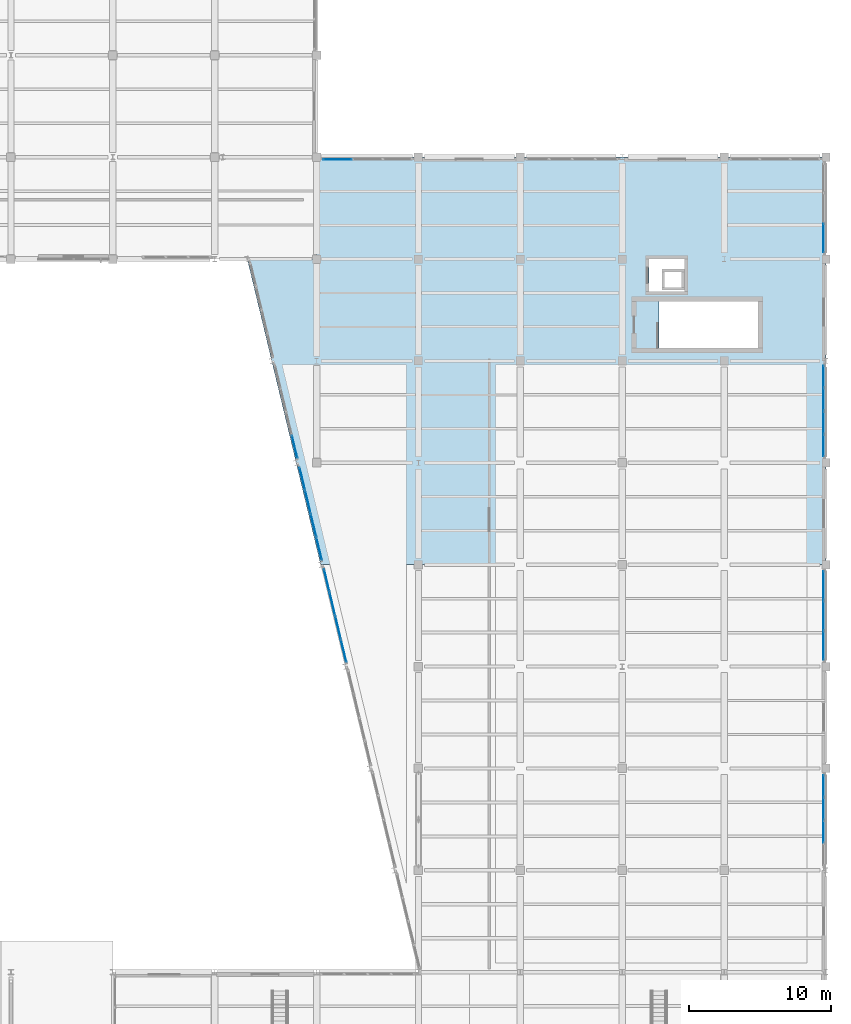
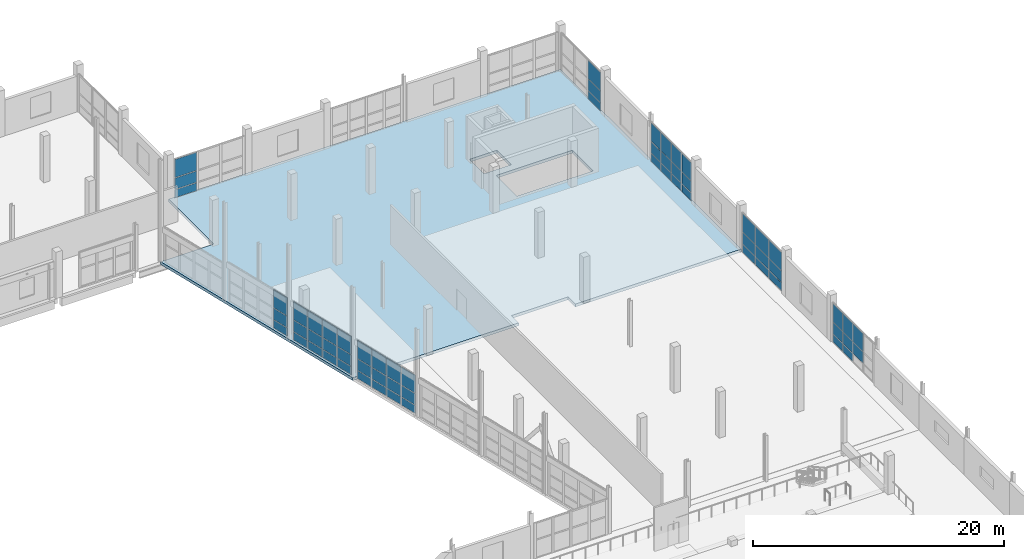
# One storey, part 79 of 123: 62 plates, 1 slab, 8 elements without a shape of their own.
"""IFC4 building model written with IfcOpenShell, lengths in metres."""

from ifc_helpers import new_model, si_unit, direction, frame, origin, origin_2d, place, context, subcontext, project, spatial, polyline, rectangle, outline, extrude, material, layer, layer_set, type_object, element, aggregate, save


model = new_model("IFC4")

# Units and contexts
model_context = context("Model", 3, precision=1e-05, world=origin(), true_north=direction((0.0, 1.0)))
body_context = subcontext(model_context, "Body", "Model", "MODEL_VIEW")
ifc_project = project(units=[si_unit("LENGTHUNIT", "METRE"), si_unit("AREAUNIT", "SQUARE_METRE"), si_unit("VOLUMEUNIT", "CUBIC_METRE"), si_unit("PLANEANGLEUNIT", "RADIAN"), si_unit("MASSUNIT", "GRAM", prefix="KILO")], contexts=[model_context])

# Site, building, storey
site_placement = place(None, origin())
site = spatial("IfcSite", under=ifc_project, at=site_placement, CompositionType="ELEMENT")
building_placement = place(site_placement, origin())
building = spatial("IfcBuilding", under=site, at=building_placement, Name="Kalmorath City Hall", CompositionType="ELEMENT")
storey_placement = place(building_placement, frame((0.0, 0.0, 10.199951171875)))
storey = spatial("IfcBuildingStorey", under=building, at=storey_placement, Name="L02", CompositionType="ELEMENT", Elevation=10.199951171875)

# Slab
ifc_material_1 = material(Name="Concrete C40/50", Category="concrete")
ifc_layer_1 = layer(ifc_material_1, 0.280029296875)
ifc_layer_set_1 = layer_set([ifc_layer_1], Name="Concrete C40/50")
slab_type = type_object("IfcSlabType", Name="Concrete composite floor slab 280", PredefinedType="FLOOR", material=ifc_layer_set_1)
slab_placement = place(storey_placement, frame((0.0, 0.0, -0.280029296875)))
element("IfcSlab", 1, at=slab_placement, inside=storey, type_object=slab_type, Name="L02 Members Library Pavilion slab FS2-2", PredefinedType="FLOOR", context=body_context, shape_type="SweptSolid", body=[
    extrude(outline(polyline([(165.60009765625, 100.800048828125), (165.60009765625, 72.0), (150.3427734375, 72.0), (150.3427734375, 73.14990234375), (145.142822265625, 73.14990234375), (145.142822265625, 72.0), (129.885498046875, 72.0), (124.69970703125, 93.60009765625), (129.60009765625, 93.60009765625), (129.60009765625, 100.800048828125), (165.60009765625, 100.800048828125)]), holes=[polyline([(153.7900390625, 87.300048828125), (160.800048828125, 87.300048828125), (160.800048828125, 90.60009765625), (153.7900390625, 90.60009765625), (153.7900390625, 87.300048828125)]), polyline([(153.10009765625, 93.60009765625), (153.10009765625, 91.300048828125), (155.60009765625, 91.300048828125), (155.60009765625, 93.60009765625), (153.10009765625, 93.60009765625)])]), origin(), (0.0, 0.0, 1.0), 0.280029296875),
])

# Curtain wall, plates
ifc_material_2 = material(Name="Anodised aluminium and laminated glass", Category="aluminium")
curtain_wall_type_1 = type_object("IfcCurtainWallType", Name="Unitised hurricane curtain wall 6420x3835 M1850", PredefinedType="NOTDEFINED", material=ifc_material_2)
curtain_wall_1_placement = place(storey_placement, origin())
curtain_wall_1 = element("IfcCurtainWall", 2, at=curtain_wall_1_placement, inside=storey, type_object=curtain_wall_type_1, Name="L02 curtain wall CW-64X38M18 #114", PredefinedType="NOTDEFINED")
ifc_material_3 = material(Name="Hurricane laminated low-E glass", Category="glass")
ifc_layer_2 = layer(ifc_material_3, 0.035888671875)
ifc_layer_set_2 = layer_set([ifc_layer_2], Name="Hurricane laminated low-E glass")
plate_type = type_object("IfcPlateType", Name="Library acoustic low-E glazed panel 36", PredefinedType="CURTAIN_PANEL", material=ifc_layer_set_2)
plate_1_placement = place(storey_placement, frame((131.078857421875, 100.639892578125, 0.06005859375), z_axis=(0.0, 0.0, 1.0), x_axis=(1.0, 0.0, 0.0)))
plate_1 = element("IfcPlate", 3, at=plate_1_placement, type_object=plate_type, Name="CW-64X38M18 panel 1.1", PredefinedType="CURTAIN_PANEL", context=body_context, shape_type="SweptSolid", body=[
    extrude(rectangle(XDim=2.027587890625, YDim=0.035888671875, at=origin_2d()), origin(), (0.0, 0.0, 1.0), 0.760009765625),
])
plate_2_placement = place(storey_placement, frame((131.078857421875, 100.639892578125, 0.880126953125), z_axis=(0.0, 0.0, 1.0), x_axis=(1.0, 0.0, 0.0)))
plate_2 = element("IfcPlate", 4, at=plate_2_placement, type_object=plate_type, Name="CW-64X38M18 panel 1.2", PredefinedType="CURTAIN_PANEL", context=body_context, shape_type="SweptSolid", body=[
    extrude(rectangle(XDim=2.027587890625, YDim=0.035888671875, at=origin_2d()), origin(), (0.0, 0.0, 1.0), 1.083984375),
])
plate_3_placement = place(storey_placement, frame((131.078857421875, 100.639892578125, 2.024169921875), z_axis=(0.0, 0.0, 1.0), x_axis=(1.0, 0.0, 0.0)))
plate_3 = element("IfcPlate", 5, at=plate_3_placement, type_object=plate_type, Name="CW-64X38M18 panel 1.3", PredefinedType="CURTAIN_PANEL", context=body_context, shape_type="SweptSolid", body=[
    extrude(rectangle(XDim=2.027587890625, YDim=0.035888671875, at=origin_2d()), origin(), (0.0, 0.0, 1.0), 1.7509765625),
])
aggregate(curtain_wall_1, [plate_1, plate_2, plate_3])

curtain_wall_2_placement = place(storey_placement, origin())
curtain_wall_2 = element("IfcCurtainWall", 6, at=curtain_wall_2_placement, inside=storey, type_object=curtain_wall_type_1, Name="L02 curtain wall CW-64X38M18 #117", PredefinedType="NOTDEFINED")
plate_4_placement = place(storey_placement, frame((165.43994140625, 95.078857421875, 0.06005859375), z_axis=(0.0, 0.0, 1.0), x_axis=(0.0, -1.0, 0.0)))
plate_4 = element("IfcPlate", 7, at=plate_4_placement, type_object=plate_type, Name="CW-64X38M18 panel 3.1", PredefinedType="CURTAIN_PANEL", context=body_context, shape_type="SweptSolid", body=[
    extrude(rectangle(XDim=2.027587890625, YDim=0.035888671875, at=origin_2d()), origin(), (0.0, 0.0, 1.0), 0.760009765625),
])
plate_5_placement = place(storey_placement, frame((165.43994140625, 95.078857421875, 0.880126953125), z_axis=(0.0, 0.0, 1.0), x_axis=(0.0, -1.0, 0.0)))
plate_5 = element("IfcPlate", 8, at=plate_5_placement, type_object=plate_type, Name="CW-64X38M18 panel 3.2", PredefinedType="CURTAIN_PANEL", context=body_context, shape_type="SweptSolid", body=[
    extrude(rectangle(XDim=2.027587890625, YDim=0.035888671875, at=origin_2d()), origin(), (0.0, 0.0, 1.0), 1.083984375),
])
plate_6_placement = place(storey_placement, frame((165.43994140625, 95.078857421875, 2.024169921875), z_axis=(0.0, 0.0, 1.0), x_axis=(0.0, -1.0, 0.0)))
plate_6 = element("IfcPlate", 9, at=plate_6_placement, type_object=plate_type, Name="CW-64X38M18 panel 3.3", PredefinedType="CURTAIN_PANEL", context=body_context, shape_type="SweptSolid", body=[
    extrude(rectangle(XDim=2.027587890625, YDim=0.035888671875, at=origin_2d()), origin(), (0.0, 0.0, 1.0), 1.7509765625),
])
aggregate(curtain_wall_2, [plate_4, plate_5, plate_6])

ifc_material_4 = material(Name="Anodised aluminium and laminated glass", Category="aluminium")
curtain_wall_type_2 = type_object("IfcCurtainWallType", Name="Unitised hurricane curtain wall 6544x3835 M1850", PredefinedType="NOTDEFINED", material=ifc_material_4)
curtain_wall_3_placement = place(storey_placement, origin())
curtain_wall_3 = element("IfcCurtainWall", 10, at=curtain_wall_3_placement, inside=storey, type_object=curtain_wall_type_2, Name="L02 curtain wall CW-65X38M18 #118", PredefinedType="NOTDEFINED")
plate_7_placement = place(storey_placement, frame((165.43994140625, 85.296875, 0.06005859375), z_axis=(0.0, 0.0, 1.0), x_axis=(0.0, -1.0, 0.0)))
plate_7 = element("IfcPlate", 11, at=plate_7_placement, type_object=plate_type, Name="CW-65X38M18 panel 1.1", PredefinedType="CURTAIN_PANEL", context=body_context, shape_type="SweptSolid", body=[
    extrude(rectangle(XDim=1.5234375, YDim=0.035888671875, at=origin_2d()), origin(), (0.0, 0.0, 1.0), 0.760009765625),
])
plate_8_placement = place(storey_placement, frame((165.43994140625, 85.296875, 0.880126953125), z_axis=(0.0, 0.0, 1.0), x_axis=(0.0, -1.0, 0.0)))
plate_8 = element("IfcPlate", 12, at=plate_8_placement, type_object=plate_type, Name="CW-65X38M18 panel 1.2", PredefinedType="CURTAIN_PANEL", context=body_context, shape_type="SweptSolid", body=[
    extrude(rectangle(XDim=1.5234375, YDim=0.035888671875, at=origin_2d()), origin(), (0.0, 0.0, 1.0), 1.083984375),
])
plate_9_placement = place(storey_placement, frame((165.43994140625, 85.296875, 2.024169921875), z_axis=(0.0, 0.0, 1.0), x_axis=(0.0, -1.0, 0.0)))
plate_9 = element("IfcPlate", 13, at=plate_9_placement, type_object=plate_type, Name="CW-65X38M18 panel 1.3", PredefinedType="CURTAIN_PANEL", context=body_context, shape_type="SweptSolid", body=[
    extrude(rectangle(XDim=1.5234375, YDim=0.035888671875, at=origin_2d()), origin(), (0.0, 0.0, 1.0), 1.7509765625),
])
plate_10_placement = place(storey_placement, frame((165.43994140625, 83.6796875, 0.06005859375), z_axis=(0.0, 0.0, 1.0), x_axis=(0.0, -1.0, 0.0)))
plate_10 = element("IfcPlate", 14, at=plate_10_placement, type_object=plate_type, Name="CW-65X38M18 panel 2.1", PredefinedType="CURTAIN_PANEL", context=body_context, shape_type="SweptSolid", body=[
    extrude(rectangle(XDim=1.560791015625, YDim=0.035888671875, at=origin_2d()), origin(), (0.0, 0.0, 1.0), 0.760009765625),
])
plate_11_placement = place(storey_placement, frame((165.43994140625, 83.6796875, 0.880126953125), z_axis=(0.0, 0.0, 1.0), x_axis=(0.0, -1.0, 0.0)))
plate_11 = element("IfcPlate", 15, at=plate_11_placement, type_object=plate_type, Name="CW-65X38M18 panel 2.2", PredefinedType="CURTAIN_PANEL", context=body_context, shape_type="SweptSolid", body=[
    extrude(rectangle(XDim=1.560791015625, YDim=0.035888671875, at=origin_2d()), origin(), (0.0, 0.0, 1.0), 1.083984375),
])
plate_12_placement = place(storey_placement, frame((165.43994140625, 83.6796875, 2.024169921875), z_axis=(0.0, 0.0, 1.0), x_axis=(0.0, -1.0, 0.0)))
plate_12 = element("IfcPlate", 16, at=plate_12_placement, type_object=plate_type, Name="CW-65X38M18 panel 2.3", PredefinedType="CURTAIN_PANEL", context=body_context, shape_type="SweptSolid", body=[
    extrude(rectangle(XDim=1.560791015625, YDim=0.035888671875, at=origin_2d()), origin(), (0.0, 0.0, 1.0), 1.7509765625),
])
plate_13_placement = place(storey_placement, frame((165.43994140625, 82.043701171875, 0.06005859375), z_axis=(0.0, 0.0, 1.0), x_axis=(0.0, -1.0, 0.0)))
plate_13 = element("IfcPlate", 17, at=plate_13_placement, type_object=plate_type, Name="CW-65X38M18 panel 3.1", PredefinedType="CURTAIN_PANEL", context=body_context, shape_type="SweptSolid", body=[
    extrude(rectangle(XDim=1.560791015625, YDim=0.035888671875, at=origin_2d()), origin(), (0.0, 0.0, 1.0), 0.760009765625),
])
plate_14_placement = place(storey_placement, frame((165.43994140625, 82.043701171875, 0.880126953125), z_axis=(0.0, 0.0, 1.0), x_axis=(0.0, -1.0, 0.0)))
plate_14 = element("IfcPlate", 18, at=plate_14_placement, type_object=plate_type, Name="CW-65X38M18 panel 3.2", PredefinedType="CURTAIN_PANEL", context=body_context, shape_type="SweptSolid", body=[
    extrude(rectangle(XDim=1.560791015625, YDim=0.035888671875, at=origin_2d()), origin(), (0.0, 0.0, 1.0), 1.083984375),
])
plate_15_placement = place(storey_placement, frame((165.43994140625, 82.043701171875, 2.024169921875), z_axis=(0.0, 0.0, 1.0), x_axis=(0.0, -1.0, 0.0)))
plate_15 = element("IfcPlate", 19, at=plate_15_placement, type_object=plate_type, Name="CW-65X38M18 panel 3.3", PredefinedType="CURTAIN_PANEL", context=body_context, shape_type="SweptSolid", body=[
    extrude(rectangle(XDim=1.560791015625, YDim=0.035888671875, at=origin_2d()), origin(), (0.0, 0.0, 1.0), 1.7509765625),
])
plate_16_placement = place(storey_placement, frame((165.43994140625, 80.4267578125, 0.06005859375), z_axis=(0.0, 0.0, 1.0), x_axis=(0.0, -1.0, 0.0)))
plate_16 = element("IfcPlate", 20, at=plate_16_placement, type_object=plate_type, Name="CW-65X38M18 panel 4.1", PredefinedType="CURTAIN_PANEL", context=body_context, shape_type="SweptSolid", body=[
    extrude(rectangle(XDim=1.5234375, YDim=0.035888671875, at=origin_2d()), origin(), (0.0, 0.0, 1.0), 0.760009765625),
])
plate_17_placement = place(storey_placement, frame((165.43994140625, 80.4267578125, 0.880126953125), z_axis=(0.0, 0.0, 1.0), x_axis=(0.0, -1.0, 0.0)))
plate_17 = element("IfcPlate", 21, at=plate_17_placement, type_object=plate_type, Name="CW-65X38M18 panel 4.2", PredefinedType="CURTAIN_PANEL", context=body_context, shape_type="SweptSolid", body=[
    extrude(rectangle(XDim=1.5234375, YDim=0.035888671875, at=origin_2d()), origin(), (0.0, 0.0, 1.0), 1.083984375),
])
plate_18_placement = place(storey_placement, frame((165.43994140625, 80.4267578125, 2.024169921875), z_axis=(0.0, 0.0, 1.0), x_axis=(0.0, -1.0, 0.0)))
plate_18 = element("IfcPlate", 22, at=plate_18_placement, type_object=plate_type, Name="CW-65X38M18 panel 4.3", PredefinedType="CURTAIN_PANEL", context=body_context, shape_type="SweptSolid", body=[
    extrude(rectangle(XDim=1.5234375, YDim=0.035888671875, at=origin_2d()), origin(), (0.0, 0.0, 1.0), 1.7509765625),
])
aggregate(curtain_wall_3, [plate_7, plate_8, plate_9, plate_10, plate_11, plate_12, plate_13, plate_14, plate_15, plate_16, plate_17, plate_18])

curtain_wall_4_placement = place(storey_placement, origin())
curtain_wall_4 = element("IfcCurtainWall", 23, at=curtain_wall_4_placement, inside=storey, type_object=curtain_wall_type_1, Name="L02 curtain wall CW-64X38M18 #119", PredefinedType="NOTDEFINED")
plate_19_placement = place(storey_placement, frame((165.43994140625, 70.521240234375, 0.06005859375), z_axis=(0.0, 0.0, 1.0), x_axis=(0.0, -1.0, 0.0)))
plate_19 = element("IfcPlate", 24, at=plate_19_placement, type_object=plate_type, Name="CW-64X38M18 panel 1.1", PredefinedType="CURTAIN_PANEL", context=body_context, shape_type="SweptSolid", body=[
    extrude(rectangle(XDim=2.027587890625, YDim=0.035888671875, at=origin_2d()), origin(), (0.0, 0.0, 1.0), 0.760009765625),
])
plate_20_placement = place(storey_placement, frame((165.43994140625, 70.521240234375, 0.880126953125), z_axis=(0.0, 0.0, 1.0), x_axis=(0.0, -1.0, 0.0)))
plate_20 = element("IfcPlate", 25, at=plate_20_placement, type_object=plate_type, Name="CW-64X38M18 panel 1.2", PredefinedType="CURTAIN_PANEL", context=body_context, shape_type="SweptSolid", body=[
    extrude(rectangle(XDim=2.027587890625, YDim=0.035888671875, at=origin_2d()), origin(), (0.0, 0.0, 1.0), 1.083984375),
])
plate_21_placement = place(storey_placement, frame((165.43994140625, 70.521240234375, 2.024169921875), z_axis=(0.0, 0.0, 1.0), x_axis=(0.0, -1.0, 0.0)))
plate_21 = element("IfcPlate", 26, at=plate_21_placement, type_object=plate_type, Name="CW-64X38M18 panel 1.3", PredefinedType="CURTAIN_PANEL", context=body_context, shape_type="SweptSolid", body=[
    extrude(rectangle(XDim=2.027587890625, YDim=0.035888671875, at=origin_2d()), origin(), (0.0, 0.0, 1.0), 1.7509765625),
])
plate_22_placement = place(storey_placement, frame((165.43994140625, 68.39990234375, 0.06005859375), z_axis=(0.0, 0.0, 1.0), x_axis=(0.0, -1.0, 0.0)))
plate_22 = element("IfcPlate", 27, at=plate_22_placement, type_object=plate_type, Name="CW-64X38M18 panel 2.1", PredefinedType="CURTAIN_PANEL", context=body_context, shape_type="SweptSolid", body=[
    extrude(rectangle(XDim=2.06494140625, YDim=0.035888671875, at=origin_2d()), origin(), (0.0, 0.0, 1.0), 0.760009765625),
])
plate_23_placement = place(storey_placement, frame((165.43994140625, 68.39990234375, 0.880126953125), z_axis=(0.0, 0.0, 1.0), x_axis=(0.0, -1.0, 0.0)))
plate_23 = element("IfcPlate", 28, at=plate_23_placement, type_object=plate_type, Name="CW-64X38M18 panel 2.2", PredefinedType="CURTAIN_PANEL", context=body_context, shape_type="SweptSolid", body=[
    extrude(rectangle(XDim=2.06494140625, YDim=0.035888671875, at=origin_2d()), origin(), (0.0, 0.0, 1.0), 1.083984375),
])
plate_24_placement = place(storey_placement, frame((165.43994140625, 68.39990234375, 2.024169921875), z_axis=(0.0, 0.0, 1.0), x_axis=(0.0, -1.0, 0.0)))
plate_24 = element("IfcPlate", 29, at=plate_24_placement, type_object=plate_type, Name="CW-64X38M18 panel 2.3", PredefinedType="CURTAIN_PANEL", context=body_context, shape_type="SweptSolid", body=[
    extrude(rectangle(XDim=2.06494140625, YDim=0.035888671875, at=origin_2d()), origin(), (0.0, 0.0, 1.0), 1.7509765625),
])
plate_25_placement = place(storey_placement, frame((165.43994140625, 66.27880859375, 0.06005859375), z_axis=(0.0, 0.0, 1.0), x_axis=(0.0, -1.0, 0.0)))
plate_25 = element("IfcPlate", 30, at=plate_25_placement, type_object=plate_type, Name="CW-64X38M18 panel 3.1", PredefinedType="CURTAIN_PANEL", context=body_context, shape_type="SweptSolid", body=[
    extrude(rectangle(XDim=2.027587890625, YDim=0.035888671875, at=origin_2d()), origin(), (0.0, 0.0, 1.0), 0.760009765625),
])
plate_26_placement = place(storey_placement, frame((165.43994140625, 66.27880859375, 0.880126953125), z_axis=(0.0, 0.0, 1.0), x_axis=(0.0, -1.0, 0.0)))
plate_26 = element("IfcPlate", 31, at=plate_26_placement, type_object=plate_type, Name="CW-64X38M18 panel 3.2", PredefinedType="CURTAIN_PANEL", context=body_context, shape_type="SweptSolid", body=[
    extrude(rectangle(XDim=2.027587890625, YDim=0.035888671875, at=origin_2d()), origin(), (0.0, 0.0, 1.0), 1.083984375),
])
plate_27_placement = place(storey_placement, frame((165.43994140625, 66.27880859375, 2.024169921875), z_axis=(0.0, 0.0, 1.0), x_axis=(0.0, -1.0, 0.0)))
plate_27 = element("IfcPlate", 32, at=plate_27_placement, type_object=plate_type, Name="CW-64X38M18 panel 3.3", PredefinedType="CURTAIN_PANEL", context=body_context, shape_type="SweptSolid", body=[
    extrude(rectangle(XDim=2.027587890625, YDim=0.035888671875, at=origin_2d()), origin(), (0.0, 0.0, 1.0), 1.7509765625),
])
aggregate(curtain_wall_4, [plate_19, plate_20, plate_21, plate_22, plate_23, plate_24, plate_25, plate_26, plate_27])

curtain_wall_5_placement = place(storey_placement, origin())
curtain_wall_5 = element("IfcCurtainWall", 33, at=curtain_wall_5_placement, inside=storey, type_object=curtain_wall_type_2, Name="L02 curtain wall CW-65X38M18 #120", PredefinedType="NOTDEFINED")
plate_28_placement = place(storey_placement, frame((165.43994140625, 56.373291015625, 0.06005859375), z_axis=(0.0, 0.0, 1.0), x_axis=(0.0, -1.0, 0.0)))
plate_28 = element("IfcPlate", 34, at=plate_28_placement, type_object=plate_type, Name="CW-65X38M18 panel 1.1", PredefinedType="CURTAIN_PANEL", context=body_context, shape_type="SweptSolid", body=[
    extrude(rectangle(XDim=1.5234375, YDim=0.035888671875, at=origin_2d()), origin(), (0.0, 0.0, 1.0), 0.760009765625),
])
plate_29_placement = place(storey_placement, frame((165.43994140625, 56.373291015625, 0.880126953125), z_axis=(0.0, 0.0, 1.0), x_axis=(0.0, -1.0, 0.0)))
plate_29 = element("IfcPlate", 35, at=plate_29_placement, type_object=plate_type, Name="CW-65X38M18 panel 1.2", PredefinedType="CURTAIN_PANEL", context=body_context, shape_type="SweptSolid", body=[
    extrude(rectangle(XDim=1.5234375, YDim=0.035888671875, at=origin_2d()), origin(), (0.0, 0.0, 1.0), 1.083984375),
])
plate_30_placement = place(storey_placement, frame((165.43994140625, 56.373291015625, 2.024169921875), z_axis=(0.0, 0.0, 1.0), x_axis=(0.0, -1.0, 0.0)))
plate_30 = element("IfcPlate", 36, at=plate_30_placement, type_object=plate_type, Name="CW-65X38M18 panel 1.3", PredefinedType="CURTAIN_PANEL", context=body_context, shape_type="SweptSolid", body=[
    extrude(rectangle(XDim=1.5234375, YDim=0.035888671875, at=origin_2d()), origin(), (0.0, 0.0, 1.0), 1.7509765625),
])
plate_31_placement = place(storey_placement, frame((165.43994140625, 54.756103515625, 0.06005859375), z_axis=(0.0, 0.0, 1.0), x_axis=(0.0, -1.0, 0.0)))
plate_31 = element("IfcPlate", 37, at=plate_31_placement, type_object=plate_type, Name="CW-65X38M18 panel 2.1", PredefinedType="CURTAIN_PANEL", context=body_context, shape_type="SweptSolid", body=[
    extrude(rectangle(XDim=1.560791015625, YDim=0.035888671875, at=origin_2d()), origin(), (0.0, 0.0, 1.0), 0.760009765625),
])
plate_32_placement = place(storey_placement, frame((165.43994140625, 54.756103515625, 0.880126953125), z_axis=(0.0, 0.0, 1.0), x_axis=(0.0, -1.0, 0.0)))
plate_32 = element("IfcPlate", 38, at=plate_32_placement, type_object=plate_type, Name="CW-65X38M18 panel 2.2", PredefinedType="CURTAIN_PANEL", context=body_context, shape_type="SweptSolid", body=[
    extrude(rectangle(XDim=1.560791015625, YDim=0.035888671875, at=origin_2d()), origin(), (0.0, 0.0, 1.0), 1.083984375),
])
plate_33_placement = place(storey_placement, frame((165.43994140625, 54.756103515625, 2.024169921875), z_axis=(0.0, 0.0, 1.0), x_axis=(0.0, -1.0, 0.0)))
plate_33 = element("IfcPlate", 39, at=plate_33_placement, type_object=plate_type, Name="CW-65X38M18 panel 2.3", PredefinedType="CURTAIN_PANEL", context=body_context, shape_type="SweptSolid", body=[
    extrude(rectangle(XDim=1.560791015625, YDim=0.035888671875, at=origin_2d()), origin(), (0.0, 0.0, 1.0), 1.7509765625),
])
plate_34_placement = place(storey_placement, frame((165.43994140625, 53.120361328125, 0.880126953125), z_axis=(0.0, 0.0, 1.0), x_axis=(0.0, -1.0, 0.0)))
plate_34 = element("IfcPlate", 40, at=plate_34_placement, type_object=plate_type, Name="CW-65X38M18 panel 3.2", PredefinedType="CURTAIN_PANEL", context=body_context, shape_type="SweptSolid", body=[
    extrude(rectangle(XDim=1.560791015625, YDim=0.035888671875, at=origin_2d()), origin(), (0.0, 0.0, 1.0), 1.083984375),
])
plate_35_placement = place(storey_placement, frame((165.43994140625, 53.120361328125, 2.024169921875), z_axis=(0.0, 0.0, 1.0), x_axis=(0.0, -1.0, 0.0)))
plate_35 = element("IfcPlate", 41, at=plate_35_placement, type_object=plate_type, Name="CW-65X38M18 panel 3.3", PredefinedType="CURTAIN_PANEL", context=body_context, shape_type="SweptSolid", body=[
    extrude(rectangle(XDim=1.560791015625, YDim=0.035888671875, at=origin_2d()), origin(), (0.0, 0.0, 1.0), 1.7509765625),
])
aggregate(curtain_wall_5, [plate_28, plate_29, plate_30, plate_31, plate_32, plate_33, plate_34, plate_35])

ifc_material_5 = material(Name="Anodised aluminium and laminated glass", Category="aluminium")
curtain_wall_type_3 = type_object("IfcCurtainWallType", Name="Unitised hurricane curtain wall 6849x3835 M1850", PredefinedType="NOTDEFINED", material=ifc_material_5)
curtain_wall_6_placement = place(storey_placement, origin())
curtain_wall_6 = element("IfcCurtainWall", 42, at=curtain_wall_6_placement, inside=storey, type_object=curtain_wall_type_3, Name="L02 curtain wall CW-68X38M18 #128", PredefinedType="NOTDEFINED")
plate_36_placement = place(storey_placement, frame((131.509521484375, 65.920654296875, 0.06005859375), z_axis=(0.0, 0.0, 1.0), x_axis=(-0.233441976856, 0.972370733538, 0.0)))
plate_36 = element("IfcPlate", 43, at=plate_36_placement, type_object=plate_type, Name="CW-68X38M18 panel 1.1", PredefinedType="CURTAIN_PANEL", context=body_context, shape_type="SweptSolid", body=[
    extrude(rectangle(XDim=1.599853515625, YDim=0.035888671875, at=origin_2d()), origin(), (0.0, 0.0, 1.0), 0.760009765625),
])
plate_37_placement = place(storey_placement, frame((131.509521484375, 65.920654296875, 0.880126953125), z_axis=(0.0, 0.0, 1.0), x_axis=(-0.233441976856, 0.972370733538, 0.0)))
plate_37 = element("IfcPlate", 44, at=plate_37_placement, type_object=plate_type, Name="CW-68X38M18 panel 1.2", PredefinedType="CURTAIN_PANEL", context=body_context, shape_type="SweptSolid", body=[
    extrude(rectangle(XDim=1.599853515625, YDim=0.035888671875, at=origin_2d()), origin(), (0.0, 0.0, 1.0), 1.083984375),
])
plate_38_placement = place(storey_placement, frame((131.509521484375, 65.920654296875, 2.024169921875), z_axis=(0.0, 0.0, 1.0), x_axis=(-0.233441976856, 0.972370733538, 0.0)))
plate_38 = element("IfcPlate", 45, at=plate_38_placement, type_object=plate_type, Name="CW-68X38M18 panel 1.3", PredefinedType="CURTAIN_PANEL", context=body_context, shape_type="SweptSolid", body=[
    extrude(rectangle(XDim=1.599853515625, YDim=0.035888671875, at=origin_2d()), origin(), (0.0, 0.0, 1.0), 1.7509765625),
])
plate_39_placement = place(storey_placement, frame((131.1142578125, 67.5673828125, 0.06005859375), z_axis=(0.0, 0.0, 1.0), x_axis=(-0.233441976856, 0.972370733538, 0.0)))
plate_39 = element("IfcPlate", 46, at=plate_39_placement, type_object=plate_type, Name="CW-68X38M18 panel 2.1", PredefinedType="CURTAIN_PANEL", context=body_context, shape_type="SweptSolid", body=[
    extrude(rectangle(XDim=1.63720703125, YDim=0.035888671875, at=origin_2d()), origin(), (0.0, 0.0, 1.0), 0.760009765625),
])
plate_40_placement = place(storey_placement, frame((131.1142578125, 67.5673828125, 0.880126953125), z_axis=(0.0, 0.0, 1.0), x_axis=(-0.233441976856, 0.972370733538, 0.0)))
plate_40 = element("IfcPlate", 47, at=plate_40_placement, type_object=plate_type, Name="CW-68X38M18 panel 2.2", PredefinedType="CURTAIN_PANEL", context=body_context, shape_type="SweptSolid", body=[
    extrude(rectangle(XDim=1.63720703125, YDim=0.035888671875, at=origin_2d()), origin(), (0.0, 0.0, 1.0), 1.083984375),
])
plate_41_placement = place(storey_placement, frame((131.1142578125, 67.5673828125, 2.024169921875), z_axis=(0.0, 0.0, 1.0), x_axis=(-0.233441976856, 0.972370733538, 0.0)))
plate_41 = element("IfcPlate", 48, at=plate_41_placement, type_object=plate_type, Name="CW-68X38M18 panel 2.3", PredefinedType="CURTAIN_PANEL", context=body_context, shape_type="SweptSolid", body=[
    extrude(rectangle(XDim=1.63720703125, YDim=0.035888671875, at=origin_2d()), origin(), (0.0, 0.0, 1.0), 1.7509765625),
])
plate_42_placement = place(storey_placement, frame((130.714599609375, 69.232421875, 0.06005859375), z_axis=(0.0, 0.0, 1.0), x_axis=(-0.233441976856, 0.972370733538, 0.0)))
plate_42 = element("IfcPlate", 49, at=plate_42_placement, type_object=plate_type, Name="CW-68X38M18 panel 3.1", PredefinedType="CURTAIN_PANEL", context=body_context, shape_type="SweptSolid", body=[
    extrude(rectangle(XDim=1.63720703125, YDim=0.035888671875, at=origin_2d()), origin(), (0.0, 0.0, 1.0), 0.760009765625),
])
plate_43_placement = place(storey_placement, frame((130.714599609375, 69.232421875, 0.880126953125), z_axis=(0.0, 0.0, 1.0), x_axis=(-0.233441976856, 0.972370733538, 0.0)))
plate_43 = element("IfcPlate", 50, at=plate_43_placement, type_object=plate_type, Name="CW-68X38M18 panel 3.2", PredefinedType="CURTAIN_PANEL", context=body_context, shape_type="SweptSolid", body=[
    extrude(rectangle(XDim=1.63720703125, YDim=0.035888671875, at=origin_2d()), origin(), (0.0, 0.0, 1.0), 1.083984375),
])
plate_44_placement = place(storey_placement, frame((130.714599609375, 69.232421875, 2.024169921875), z_axis=(0.0, 0.0, 1.0), x_axis=(-0.233441976856, 0.972370733538, 0.0)))
plate_44 = element("IfcPlate", 51, at=plate_44_placement, type_object=plate_type, Name="CW-68X38M18 panel 3.3", PredefinedType="CURTAIN_PANEL", context=body_context, shape_type="SweptSolid", body=[
    extrude(rectangle(XDim=1.63720703125, YDim=0.035888671875, at=origin_2d()), origin(), (0.0, 0.0, 1.0), 1.7509765625),
])
plate_45_placement = place(storey_placement, frame((130.319091796875, 70.879150390625, 0.06005859375), z_axis=(0.0, 0.0, 1.0), x_axis=(-0.233441976856, 0.972370733538, 0.0)))
plate_45 = element("IfcPlate", 52, at=plate_45_placement, type_object=plate_type, Name="CW-68X38M18 panel 4.1", PredefinedType="CURTAIN_PANEL", context=body_context, shape_type="SweptSolid", body=[
    extrude(rectangle(XDim=1.599853515625, YDim=0.035888671875, at=origin_2d()), origin(), (0.0, 0.0, 1.0), 0.760009765625),
])
plate_46_placement = place(storey_placement, frame((130.319091796875, 70.879150390625, 0.880126953125), z_axis=(0.0, 0.0, 1.0), x_axis=(-0.233441976856, 0.972370733538, 0.0)))
plate_46 = element("IfcPlate", 53, at=plate_46_placement, type_object=plate_type, Name="CW-68X38M18 panel 4.2", PredefinedType="CURTAIN_PANEL", context=body_context, shape_type="SweptSolid", body=[
    extrude(rectangle(XDim=1.599853515625, YDim=0.035888671875, at=origin_2d()), origin(), (0.0, 0.0, 1.0), 1.083984375),
])
plate_47_placement = place(storey_placement, frame((130.319091796875, 70.879150390625, 2.024169921875), z_axis=(0.0, 0.0, 1.0), x_axis=(-0.233441976856, 0.972370733538, 0.0)))
plate_47 = element("IfcPlate", 54, at=plate_47_placement, type_object=plate_type, Name="CW-68X38M18 panel 4.3", PredefinedType="CURTAIN_PANEL", context=body_context, shape_type="SweptSolid", body=[
    extrude(rectangle(XDim=1.599853515625, YDim=0.035888671875, at=origin_2d()), origin(), (0.0, 0.0, 1.0), 1.7509765625),
])
aggregate(curtain_wall_6, [plate_36, plate_37, plate_38, plate_39, plate_40, plate_41, plate_42, plate_43, plate_44, plate_45, plate_46, plate_47])

curtain_wall_7_placement = place(storey_placement, origin())
curtain_wall_7 = element("IfcCurtainWall", 55, at=curtain_wall_7_placement, inside=storey, type_object=curtain_wall_type_3, Name="L02 curtain wall CW-68X38M18 #129", PredefinedType="NOTDEFINED")
plate_48_placement = place(storey_placement, frame((129.781005859375, 73.120849609375, 0.06005859375), z_axis=(0.0, 0.0, 1.0), x_axis=(-0.233455781305, 0.97236741933, 0.0)))
plate_48 = element("IfcPlate", 56, at=plate_48_placement, type_object=plate_type, Name="CW-68X38M18 panel 1.1", PredefinedType="CURTAIN_PANEL", context=body_context, shape_type="SweptSolid", body=[
    extrude(rectangle(XDim=1.599853515625, YDim=0.035888671875, at=origin_2d()), origin(), (0.0, 0.0, 1.0), 0.760009765625),
])
plate_49_placement = place(storey_placement, frame((129.781005859375, 73.120849609375, 0.880126953125), z_axis=(0.0, 0.0, 1.0), x_axis=(-0.233455781305, 0.97236741933, 0.0)))
plate_49 = element("IfcPlate", 57, at=plate_49_placement, type_object=plate_type, Name="CW-68X38M18 panel 1.2", PredefinedType="CURTAIN_PANEL", context=body_context, shape_type="SweptSolid", body=[
    extrude(rectangle(XDim=1.599853515625, YDim=0.035888671875, at=origin_2d()), origin(), (0.0, 0.0, 1.0), 1.083984375),
])
plate_50_placement = place(storey_placement, frame((129.781005859375, 73.120849609375, 2.024169921875), z_axis=(0.0, 0.0, 1.0), x_axis=(-0.233455781305, 0.97236741933, 0.0)))
plate_50 = element("IfcPlate", 58, at=plate_50_placement, type_object=plate_type, Name="CW-68X38M18 panel 1.3", PredefinedType="CURTAIN_PANEL", context=body_context, shape_type="SweptSolid", body=[
    extrude(rectangle(XDim=1.599853515625, YDim=0.035888671875, at=origin_2d()), origin(), (0.0, 0.0, 1.0), 1.7509765625),
])
plate_51_placement = place(storey_placement, frame((129.385498046875, 74.767578125, 0.06005859375), z_axis=(0.0, 0.0, 1.0), x_axis=(-0.233455781305, 0.97236741933, 0.0)))
plate_51 = element("IfcPlate", 59, at=plate_51_placement, type_object=plate_type, Name="CW-68X38M18 panel 2.1", PredefinedType="CURTAIN_PANEL", context=body_context, shape_type="SweptSolid", body=[
    extrude(rectangle(XDim=1.63720703125, YDim=0.035888671875, at=origin_2d()), origin(), (0.0, 0.0, 1.0), 0.760009765625),
])
plate_52_placement = place(storey_placement, frame((129.385498046875, 74.767578125, 0.880126953125), z_axis=(0.0, 0.0, 1.0), x_axis=(-0.233455781305, 0.97236741933, 0.0)))
plate_52 = element("IfcPlate", 60, at=plate_52_placement, type_object=plate_type, Name="CW-68X38M18 panel 2.2", PredefinedType="CURTAIN_PANEL", context=body_context, shape_type="SweptSolid", body=[
    extrude(rectangle(XDim=1.63720703125, YDim=0.035888671875, at=origin_2d()), origin(), (0.0, 0.0, 1.0), 1.083984375),
])
plate_53_placement = place(storey_placement, frame((129.385498046875, 74.767578125, 2.024169921875), z_axis=(0.0, 0.0, 1.0), x_axis=(-0.233455781305, 0.97236741933, 0.0)))
plate_53 = element("IfcPlate", 61, at=plate_53_placement, type_object=plate_type, Name="CW-68X38M18 panel 2.3", PredefinedType="CURTAIN_PANEL", context=body_context, shape_type="SweptSolid", body=[
    extrude(rectangle(XDim=1.63720703125, YDim=0.035888671875, at=origin_2d()), origin(), (0.0, 0.0, 1.0), 1.7509765625),
])
plate_54_placement = place(storey_placement, frame((128.98583984375, 76.4326171875, 0.06005859375), z_axis=(0.0, 0.0, 1.0), x_axis=(-0.233455781305, 0.97236741933, 0.0)))
plate_54 = element("IfcPlate", 62, at=plate_54_placement, type_object=plate_type, Name="CW-68X38M18 panel 3.1", PredefinedType="CURTAIN_PANEL", context=body_context, shape_type="SweptSolid", body=[
    extrude(rectangle(XDim=1.63720703125, YDim=0.035888671875, at=origin_2d()), origin(), (0.0, 0.0, 1.0), 0.760009765625),
])
plate_55_placement = place(storey_placement, frame((128.98583984375, 76.4326171875, 0.880126953125), z_axis=(0.0, 0.0, 1.0), x_axis=(-0.233455781305, 0.97236741933, 0.0)))
plate_55 = element("IfcPlate", 63, at=plate_55_placement, type_object=plate_type, Name="CW-68X38M18 panel 3.2", PredefinedType="CURTAIN_PANEL", context=body_context, shape_type="SweptSolid", body=[
    extrude(rectangle(XDim=1.63720703125, YDim=0.035888671875, at=origin_2d()), origin(), (0.0, 0.0, 1.0), 1.083984375),
])
plate_56_placement = place(storey_placement, frame((128.98583984375, 76.4326171875, 2.024169921875), z_axis=(0.0, 0.0, 1.0), x_axis=(-0.233455781305, 0.97236741933, 0.0)))
plate_56 = element("IfcPlate", 64, at=plate_56_placement, type_object=plate_type, Name="CW-68X38M18 panel 3.3", PredefinedType="CURTAIN_PANEL", context=body_context, shape_type="SweptSolid", body=[
    extrude(rectangle(XDim=1.63720703125, YDim=0.035888671875, at=origin_2d()), origin(), (0.0, 0.0, 1.0), 1.7509765625),
])
plate_57_placement = place(storey_placement, frame((128.59033203125, 78.079345703125, 0.06005859375), z_axis=(0.0, 0.0, 1.0), x_axis=(-0.233455781305, 0.97236741933, 0.0)))
plate_57 = element("IfcPlate", 65, at=plate_57_placement, type_object=plate_type, Name="CW-68X38M18 panel 4.1", PredefinedType="CURTAIN_PANEL", context=body_context, shape_type="SweptSolid", body=[
    extrude(rectangle(XDim=1.599853515625, YDim=0.035888671875, at=origin_2d()), origin(), (0.0, 0.0, 1.0), 0.760009765625),
])
plate_58_placement = place(storey_placement, frame((128.59033203125, 78.079345703125, 0.880126953125), z_axis=(0.0, 0.0, 1.0), x_axis=(-0.233455781305, 0.97236741933, 0.0)))
plate_58 = element("IfcPlate", 66, at=plate_58_placement, type_object=plate_type, Name="CW-68X38M18 panel 4.2", PredefinedType="CURTAIN_PANEL", context=body_context, shape_type="SweptSolid", body=[
    extrude(rectangle(XDim=1.599853515625, YDim=0.035888671875, at=origin_2d()), origin(), (0.0, 0.0, 1.0), 1.083984375),
])
plate_59_placement = place(storey_placement, frame((128.59033203125, 78.079345703125, 2.024169921875), z_axis=(0.0, 0.0, 1.0), x_axis=(-0.233455781305, 0.97236741933, 0.0)))
plate_59 = element("IfcPlate", 67, at=plate_59_placement, type_object=plate_type, Name="CW-68X38M18 panel 4.3", PredefinedType="CURTAIN_PANEL", context=body_context, shape_type="SweptSolid", body=[
    extrude(rectangle(XDim=1.599853515625, YDim=0.035888671875, at=origin_2d()), origin(), (0.0, 0.0, 1.0), 1.7509765625),
])
aggregate(curtain_wall_7, [plate_48, plate_49, plate_50, plate_51, plate_52, plate_53, plate_54, plate_55, plate_56, plate_57, plate_58, plate_59])

curtain_wall_8_placement = place(storey_placement, origin())
curtain_wall_8 = element("IfcCurtainWall", 68, at=curtain_wall_8_placement, inside=storey, type_object=curtain_wall_type_3, Name="L02 curtain wall CW-68X38M18 #130", PredefinedType="NOTDEFINED")
plate_60_placement = place(storey_placement, frame((128.05224609375, 80.32080078125, 0.06005859375), z_axis=(0.0, 0.0, 1.0), x_axis=(-0.233455781305, 0.97236741933, 0.0)))
plate_60 = element("IfcPlate", 69, at=plate_60_placement, type_object=plate_type, Name="CW-68X38M18 panel 1.1", PredefinedType="CURTAIN_PANEL", context=body_context, shape_type="SweptSolid", body=[
    extrude(rectangle(XDim=1.599853515625, YDim=0.035888671875, at=origin_2d()), origin(), (0.0, 0.0, 1.0), 0.760009765625),
])
plate_61_placement = place(storey_placement, frame((128.05224609375, 80.32080078125, 0.880126953125), z_axis=(0.0, 0.0, 1.0), x_axis=(-0.233455781305, 0.97236741933, 0.0)))
plate_61 = element("IfcPlate", 70, at=plate_61_placement, type_object=plate_type, Name="CW-68X38M18 panel 1.2", PredefinedType="CURTAIN_PANEL", context=body_context, shape_type="SweptSolid", body=[
    extrude(rectangle(XDim=1.599853515625, YDim=0.035888671875, at=origin_2d()), origin(), (0.0, 0.0, 1.0), 1.083984375),
])
plate_62_placement = place(storey_placement, frame((128.05224609375, 80.32080078125, 2.024169921875), z_axis=(0.0, 0.0, 1.0), x_axis=(-0.233455781305, 0.97236741933, 0.0)))
plate_62 = element("IfcPlate", 71, at=plate_62_placement, type_object=plate_type, Name="CW-68X38M18 panel 1.3", PredefinedType="CURTAIN_PANEL", context=body_context, shape_type="SweptSolid", body=[
    extrude(rectangle(XDim=1.599853515625, YDim=0.035888671875, at=origin_2d()), origin(), (0.0, 0.0, 1.0), 1.7509765625),
])
aggregate(curtain_wall_8, [plate_60, plate_61, plate_62])

save(model, "model.ifc")
